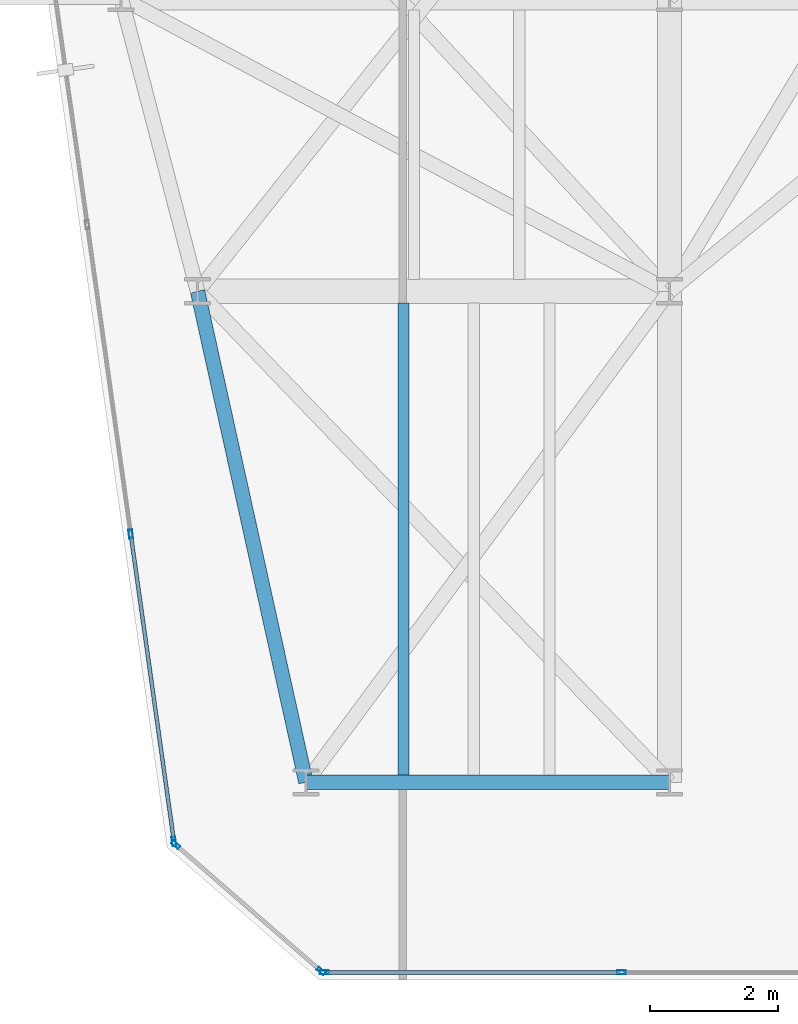
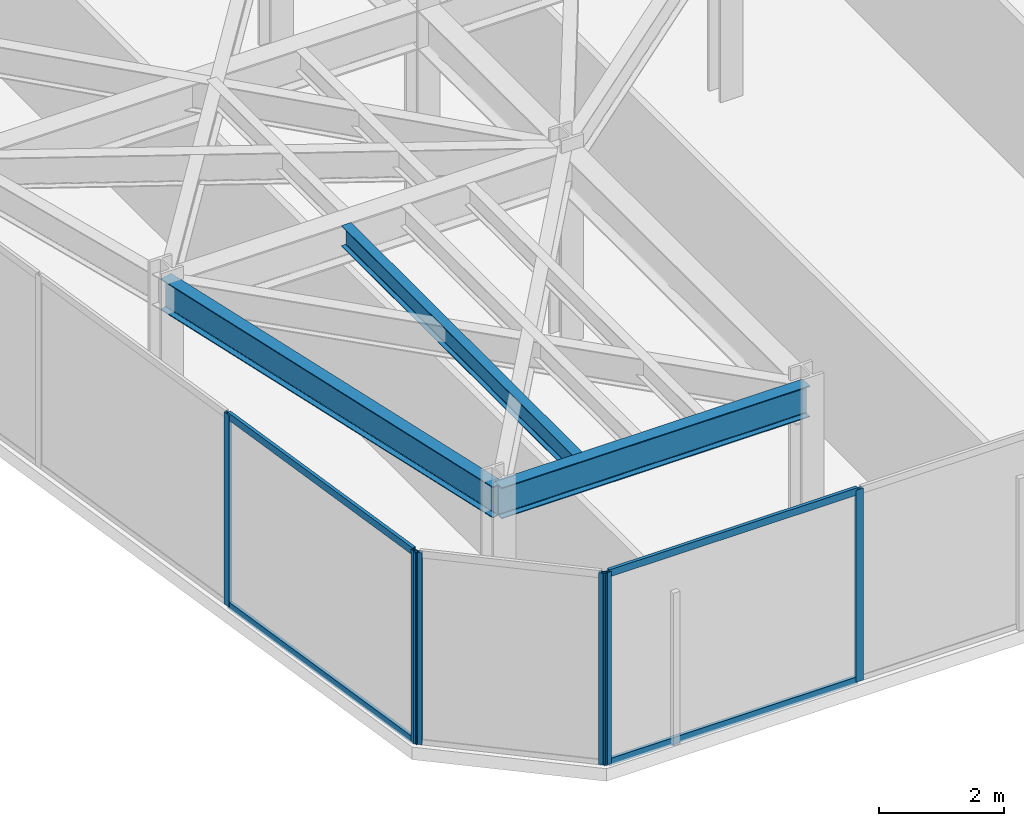
# One storey, part 2 of 26: 10 members, 3 beams, 3 elements without a shape of their own.
"""IFC4 building model written with IfcOpenShell, lengths in metres."""

from ifc_helpers import new_model, si_unit, direction, frame, origin, origin_2d, place, context, subcontext, project, spatial, hollow_rectangle, i_section, extrude, material, layer, layer_set, material_profile, profile_set, type_object, element, aggregate, save


model = new_model("IFC4")

# Units and contexts
model_context = context("Model", 3, precision=1e-05, world=origin(), true_north=direction((0.0, 1.0)))
body_context = subcontext(model_context, "Body", "Model", "MODEL_VIEW")
ifc_project = project(units=[si_unit("LENGTHUNIT", "METRE"), si_unit("AREAUNIT", "SQUARE_METRE"), si_unit("VOLUMEUNIT", "CUBIC_METRE"), si_unit("PLANEANGLEUNIT", "RADIAN"), si_unit("MASSUNIT", "GRAM", prefix="KILO")], contexts=[model_context])

# Site, building, storey
site_placement = place(None, origin())
site = spatial("IfcSite", under=ifc_project, at=site_placement, CompositionType="ELEMENT")
building_placement = place(site_placement, origin())
building = spatial("IfcBuilding", under=site, at=building_placement, Name="Kravanh Interchange Tower", CompositionType="ELEMENT")
storey_placement = place(building_placement, frame((0.0, 0.0, 180.5)))
storey = spatial("IfcBuildingStorey", under=building, at=storey_placement, Name="L43", CompositionType="ELEMENT", Elevation=180.5)

# Curtain wall, members
ifc_material_1 = material(Name="Anodised Bronze Aluminium", Category="aluminium")
ifc_layer = layer(ifc_material_1, 0.179931640625)
ifc_layer_set = layer_set([ifc_layer], Name="Unitised Curtain Wall System CW-Z3 Upper Office")
curtain_wall_type = type_object("IfcCurtainWallType", Name="Unitised Curtain Wall System CW-Z3 Upper Office", PredefinedType="NOTDEFINED", material=ifc_layer_set)
curtain_wall_1_placement = place(storey_placement, origin())
curtain_wall_1 = element("IfcCurtainWall", 1, at=curtain_wall_1_placement, inside=storey, type_object=curtain_wall_type, Name="L43 Unitised Curtain Wall CW-L43-01", PredefinedType="NOTDEFINED")
ifc_material_2 = material(Name="Anodised Bronze Aluminium", Category="aluminium")
ifc_material_profile_1 = material_profile(ifc_material_2, hollow_rectangle(XDim=0.06005859375, YDim=0.139892578125, WallThickness=0.00390625, at=origin_2d()), Name="ALU60X140X4")
ifc_profile_set_1 = profile_set([ifc_material_profile_1], Name="Anodised Bronze Aluminium")
member_type_1 = type_object("IfcMemberType", Name="Curtain Wall Mullion ALU60X140X4 Bronze", PredefinedType="MULLION", material=ifc_profile_set_1)
member_1_placement = place(storey_placement, frame((19.43017578125, 13.5703125, 0.0), z_axis=(0.0, 0.0, 1.0), x_axis=(-0.990268194035, -0.139172209446, 0.0)))
member_1 = element("IfcMember", 2, at=member_1_placement, type_object=member_type_1, Name="CW-Z3 mullion 1", PredefinedType="MULLION", context=body_context, shape_type="SweptSolid", body=[
    extrude(hollow_rectangle(XDim=0.06005859375, YDim=0.139892578125, WallThickness=0.00390625, at=origin_2d()), origin(), (0.0, 0.0, 1.0), 3.7548828125),
])
member_2_placement = place(storey_placement, frame((18.75244140625, 18.392578125, 0.0), z_axis=(0.0, 0.0, 1.0), x_axis=(-0.990268194035, -0.139172209446, 0.0)))
member_2 = element("IfcMember", 3, at=member_2_placement, type_object=member_type_1, Name="CW-Z3 mullion 2", PredefinedType="MULLION", context=body_context, shape_type="SweptSolid", body=[
    extrude(hollow_rectangle(XDim=0.06005859375, YDim=0.139892578125, WallThickness=0.00390625, at=origin_2d()), origin(), (0.0, 0.0, 1.0), 3.7548828125),
])

curtain_wall_2_placement = place(storey_placement, origin())
curtain_wall_2 = element("IfcCurtainWall", 4, at=curtain_wall_2_placement, inside=storey, type_object=curtain_wall_type, Name="L43 Unitised Curtain Wall CW-L43-06", PredefinedType="NOTDEFINED")
member_3_placement = place(storey_placement, frame((26.447998046875, 11.52001953125, 0.0), z_axis=(0.0, 0.0, 1.0), x_axis=(0.0, -1.0, 0.0)))
member_3 = element("IfcMember", 5, at=member_3_placement, type_object=member_type_1, Name="CW-Z3 mullion 2", PredefinedType="MULLION", context=body_context, shape_type="SweptSolid", body=[
    extrude(hollow_rectangle(XDim=0.06005859375, YDim=0.139892578125, WallThickness=0.00390625, at=origin_2d()), origin(), (0.0, 0.0, 1.0), 3.7548828125),
])
member_4_placement = place(storey_placement, frame((21.7890625, 11.52001953125, 0.0), z_axis=(0.0, 0.0, 1.0), x_axis=(0.0, -1.0, 0.0)))
member_4 = element("IfcMember", 6, at=member_4_placement, type_object=member_type_1, Name="CW-Z3 mullion 3", PredefinedType="MULLION", context=body_context, shape_type="SweptSolid", body=[
    extrude(hollow_rectangle(XDim=0.06005859375, YDim=0.139892578125, WallThickness=0.00390625, at=origin_2d()), origin(), (0.0, 0.0, 1.0), 3.7548828125),
])

curtain_wall_3_placement = place(storey_placement, origin())
curtain_wall_3 = element("IfcCurtainWall", 7, at=curtain_wall_3_placement, inside=storey, type_object=curtain_wall_type, Name="L43 Unitised Curtain Wall CW-L43-07", PredefinedType="NOTDEFINED")
member_5_placement = place(storey_placement, frame((21.736328125, 11.539794921875, 0.0), z_axis=(0.0, 0.0, 1.0), x_axis=(-0.65605090137, -0.754716645379, 0.0)))
member_5 = element("IfcMember", 8, at=member_5_placement, type_object=member_type_1, Name="CW-Z3 mullion 1", PredefinedType="MULLION", context=body_context, shape_type="SweptSolid", body=[
    extrude(hollow_rectangle(XDim=0.06005859375, YDim=0.139892578125, WallThickness=0.00390625, at=origin_2d()), origin(), (0.0, 0.0, 1.0), 3.7548828125),
])
member_6_placement = place(storey_placement, frame((19.45703125, 13.52099609375, 0.0), z_axis=(0.0, 0.0, 1.0), x_axis=(-0.65605090137, -0.754716645379, 0.0)))
member_6 = element("IfcMember", 9, at=member_6_placement, type_object=member_type_1, Name="CW-Z3 mullion 2", PredefinedType="MULLION", context=body_context, shape_type="SweptSolid", body=[
    extrude(hollow_rectangle(XDim=0.06005859375, YDim=0.139892578125, WallThickness=0.00390625, at=origin_2d()), origin(), (0.0, 0.0, 1.0), 3.7548828125),
])
aggregate(curtain_wall_3, [member_5, member_6])

# Member
ifc_material_3 = material(Name="Anodised Bronze Aluminium", Category="aluminium")
ifc_material_profile_2 = material_profile(ifc_material_3, hollow_rectangle(XDim=0.06005859375, YDim=0.139892578125, WallThickness=0.00390625, at=origin_2d()), Name="ALU60X140X4")
ifc_profile_set_2 = profile_set([ifc_material_profile_2], Name="Anodised Bronze Aluminium")
member_type_2 = type_object("IfcMemberType", Name="Curtain Wall Transom ALU60X140X4 Bronze", PredefinedType="USERDEFINED", material=ifc_profile_set_2)
member_7_placement = place(storey_placement, frame((19.426025390625, 13.60009765625, 0.030029296875), z_axis=(-0.139189497915, 0.990265764161, 0.0), x_axis=(-0.990265764161, -0.139189497915, 0.0)))
member_7 = element("IfcMember", 10, at=member_7_placement, type_object=member_type_2, Name="CW-Z3 transom 1.1", ObjectType="TRANSOM", PredefinedType="USERDEFINED", context=body_context, shape_type="SweptSolid", body=[
    extrude(hollow_rectangle(XDim=0.06005859375, YDim=0.139892578125, WallThickness=0.00390625, at=origin_2d()), origin(), (0.0, 0.0, 1.0), 4.8095703125),
])

member_8_placement = place(storey_placement, frame((19.426025390625, 13.60009765625, 3.72509765625), z_axis=(-0.139189497915, 0.990265764161, 0.0), x_axis=(-0.990265764161, -0.139189497915, 0.0)))
member_8 = element("IfcMember", 11, at=member_8_placement, type_object=member_type_2, Name="CW-Z3 transom 1.2", ObjectType="TRANSOM", PredefinedType="USERDEFINED", context=body_context, shape_type="SweptSolid", body=[
    extrude(hollow_rectangle(XDim=0.06005859375, YDim=0.139892578125, WallThickness=0.00390625, at=origin_2d()), origin(), (0.0, 0.0, 1.0), 4.8095703125),
])

aggregate(curtain_wall_1, [member_1, member_2, member_7, member_8])

member_9_placement = place(storey_placement, frame((26.41796875, 11.52001953125, 0.030029296875), z_axis=(-1.0, 0.0, 0.0), x_axis=(0.0, -1.0, 0.0)))
member_9 = element("IfcMember", 12, at=member_9_placement, type_object=member_type_2, Name="CW-Z3 transom 2.1", ObjectType="TRANSOM", PredefinedType="USERDEFINED", context=body_context, shape_type="SweptSolid", body=[
    extrude(hollow_rectangle(XDim=0.06005859375, YDim=0.139892578125, WallThickness=0.00390625, at=origin_2d()), origin(), (0.0, 0.0, 1.0), 4.598876953125),
])

member_10_placement = place(storey_placement, frame((26.41796875, 11.52001953125, 3.72509765625), z_axis=(-1.0, 0.0, 0.0), x_axis=(0.0, -1.0, 0.0)))
member_10 = element("IfcMember", 13, at=member_10_placement, type_object=member_type_2, Name="CW-Z3 transom 2.2", ObjectType="TRANSOM", PredefinedType="USERDEFINED", context=body_context, shape_type="SweptSolid", body=[
    extrude(hollow_rectangle(XDim=0.06005859375, YDim=0.139892578125, WallThickness=0.00390625, at=origin_2d()), origin(), (0.0, 0.0, 1.0), 4.598876953125),
])

aggregate(curtain_wall_2, [member_3, member_4, member_9, member_10])

# Beams
ifc_material_4 = material(Name="Structural Steel S355", Category="steel")
ifc_material_profile_3 = material_profile(ifc_material_4, i_section(OverallWidth=0.177978515625, OverallDepth=0.406005859375, WebThickness=0.0078125, FlangeThickness=0.0126953125, FilletRadius=0.01611328125, at=origin_2d()), Name="W16X40")
ifc_profile_set_3 = profile_set([ifc_material_profile_3], Name="Structural Steel S355")
beam_type_1 = type_object("IfcBeamType", Name="Floor Joist W16X40 Structural Steel S355", PredefinedType="JOIST", material=ifc_profile_set_3)
beam_1_placement = place(storey_placement, frame((23.030029296875, 14.60888671875, 3.552001953125), z_axis=(0.0, 1.0, 0.0), x_axis=(-1.0, 0.0, 0.0)))
element("IfcBeam", 14, at=beam_1_placement, inside=storey, type_object=beam_type_1, Name="L43 Secondary Floor Joist 1", PredefinedType="JOIST", context=body_context, shape_type="SweptSolid", body=[
    extrude(i_section(OverallWidth=0.177978515625, OverallDepth=0.406005859375, WebThickness=0.0078125, FlangeThickness=0.0126953125, FilletRadius=0.01611328125, at=origin_2d()), origin(), (0.0, 0.0, 1.0), 7.405517578125),
])
ifc_material_5 = material(Name="Structural Steel S355", Category="steel")
ifc_material_profile_4 = material_profile(ifc_material_5, i_section(OverallWidth=0.22802734375, OverallDepth=0.60791015625, WebThickness=0.01123046875, FlangeThickness=0.017333984375, FilletRadius=0.02197265625, at=origin_2d()), Name="W24X76")
ifc_profile_set_4 = profile_set([ifc_material_profile_4], Name="Structural Steel S355")
beam_type_2 = type_object("IfcBeamType", Name="Floor Spandrel W24X76 Structural Steel S355", PredefinedType="SPANDREL", material=ifc_profile_set_4)
beam_2_placement = place(storey_placement, frame((21.5, 14.5, 3.450927734375), z_axis=(1.0, 0.0, 0.0), x_axis=(0.0, 1.0, 0.0)))
element("IfcBeam", 15, at=beam_2_placement, inside=storey, type_object=beam_type_2, Name="L43 Perimeter Spandrel 30", PredefinedType="SPANDREL", context=body_context, shape_type="SweptSolid", body=[
    extrude(i_section(OverallWidth=0.22802734375, OverallDepth=0.60791015625, WebThickness=0.01123046875, FlangeThickness=0.017333984375, FilletRadius=0.02197265625, at=origin_2d()), origin(), (0.0, 0.0, 1.0), 5.699951171875),
])
beam_3_placement = place(storey_placement, frame((21.5, 14.5, 3.450927734375), z_axis=(-0.215582892261, 0.976485543449, 0.0), x_axis=(-0.976485543449, -0.215582892261, 0.0)))
element("IfcBeam", 16, at=beam_3_placement, inside=storey, type_object=beam_type_2, Name="L43 Perimeter Spandrel 31", PredefinedType="SPANDREL", context=body_context, shape_type="SweptSolid", body=[
    extrude(i_section(OverallWidth=0.22802734375, OverallDepth=0.60791015625, WebThickness=0.01123046875, FlangeThickness=0.017333984375, FilletRadius=0.02197265625, at=origin_2d()), origin(), (0.0, 0.0, 1.0), 7.88525390625),
])

save(model, "model.ifc")
